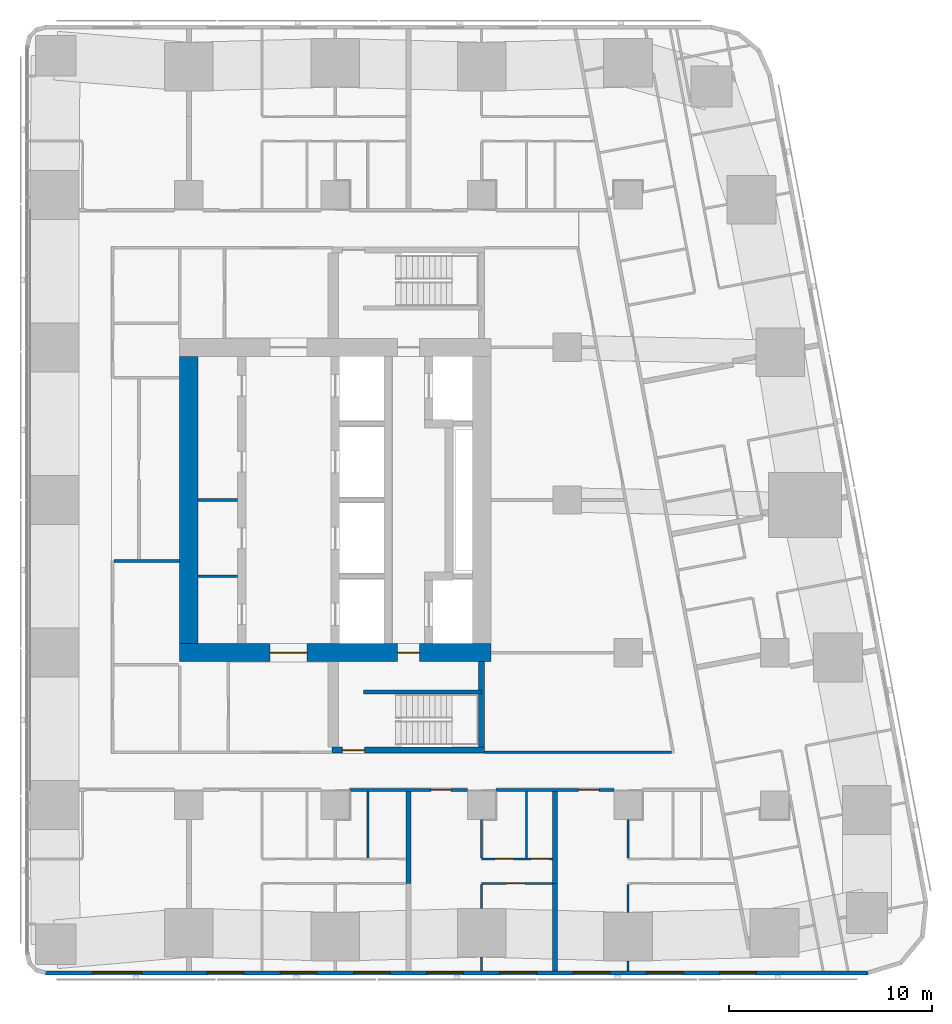
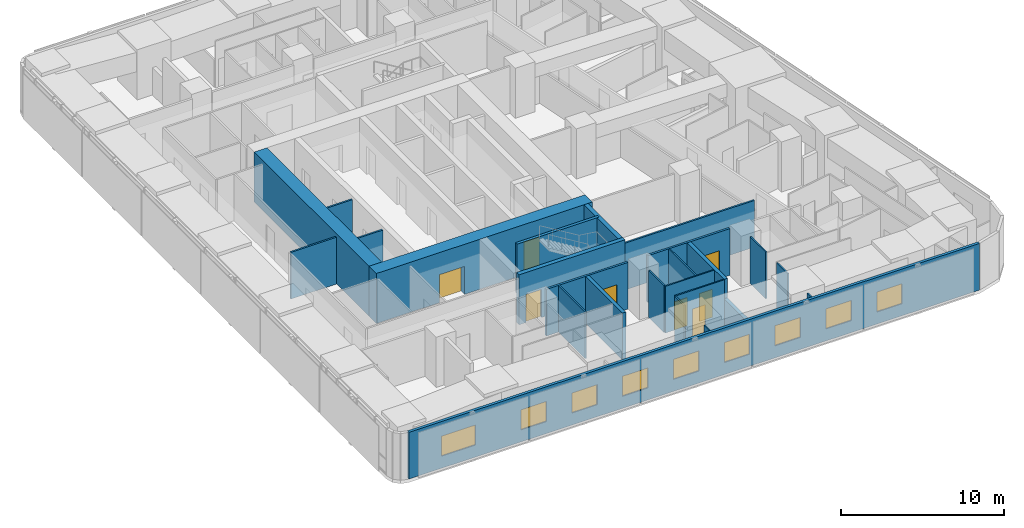
# One storey, part 11 of 19: 25 walls, 9 windows, 8 doors, 17 openings.
"""IFC4 building model written with IfcOpenShell, lengths in metres."""

from ifc_helpers import new_model, si_unit, direction, frame, frame_2d, origin, place, context, subcontext, project, spatial, rectangle, extrude, material, layer, layer_set, type_object, element, fill, save


model = new_model("IFC4")

# Units and contexts
model_context = context("Model", 3, precision=1e-05, world=origin(), true_north=direction((0.0, 1.0)))
body_context = subcontext(model_context, "Body", "Model", "MODEL_VIEW")
ifc_project = project(units=[si_unit("LENGTHUNIT", "METRE"), si_unit("AREAUNIT", "SQUARE_METRE"), si_unit("VOLUMEUNIT", "CUBIC_METRE"), si_unit("PLANEANGLEUNIT", "RADIAN"), si_unit("MASSUNIT", "GRAM", prefix="KILO")], contexts=[model_context])

# Site, building, storey
site_placement = place(None, origin())
site = spatial("IfcSite", under=ifc_project, at=site_placement, CompositionType="ELEMENT")
building_placement = place(site_placement, origin())
building = spatial("IfcBuilding", under=site, at=building_placement, Name="Sheger Commons Tower", CompositionType="ELEMENT")
storey_placement = place(building_placement, frame((0.0, 0.0, 216.199951171875)))
storey = spatial("IfcBuildingStorey", under=building, at=storey_placement, Name="L55", CompositionType="ELEMENT", Elevation=216.199951171875)

# Wall, openings, doors
ifc_material_1 = material(Name="Concrete C50/60", Category="concrete")
ifc_layer_1 = layer(ifc_material_1, 0.89990234375)
ifc_layer_set_1 = layer_set([ifc_layer_1], Name="CORE WALL 900")
wall_type_1 = type_object("IfcWallType", Name="CORE WALL 900", PredefinedType="SHEAR", material=ifc_layer_set_1)
wall_1_placement = place(storey_placement, frame((13.949951171875, 15.0, 0.0), z_axis=(0.0, 0.0, 1.0), x_axis=(1.0, 0.0, 0.0)))
wall_1 = element("IfcWall", 1, at=wall_1_placement, inside=storey, type_object=wall_type_1, Name="Core wall south L55", PredefinedType="SHEAR", context=body_context, shape_type="SweptSolid", body=[
    extrude(rectangle(XDim=15.300048828125, YDim=0.89990234375, at=frame_2d((7.64990234375, 0.0))), origin(), (0.0, 0.0, 1.0), 3.75),
])
opening_1_placement = place(wall_1_placement, frame((4.449951171875, 0.0, 0.0)))
opening_1 = element("IfcOpeningElement", 2, at=opening_1_placement, cuts=wall_1, Name="Opening D6", PredefinedType="OPENING", context=body_context, shape_type="SweptSolid", body=[
    extrude(rectangle(XDim=1.800048828125, YDim=2.10009765625, at=frame_2d((0.89990234375, 1.050048828125))), frame((0.0, 0.4599609375, 0.0), z_axis=(0.0, -1.0, 0.0), x_axis=(1.0, 0.0, 0.0)), (0.0, 0.0, 1.0), 0.919921875),
])
opening_2_placement = place(wall_1_placement, frame((10.699951171875, 0.0, 0.0)))
opening_2 = element("IfcOpeningElement", 3, at=opening_2_placement, cuts=wall_1, Name="Opening D5", PredefinedType="OPENING", context=body_context, shape_type="SweptSolid", body=[
    extrude(rectangle(XDim=1.10009765625, YDim=2.10009765625, at=frame_2d((0.550048828125, 1.050048828125))), frame((0.0, 0.4599609375, 0.0), z_axis=(0.0, -1.0, 0.0), x_axis=(1.0, 0.0, 0.0)), (0.0, 0.0, 1.0), 0.919921875),
])
ifc_material_2 = material(Name="Steel door set, fire rated", Category="steel")
door_type_1 = type_object("IfcDoorType", Name="LOBBY DOUBLE DOOR 1800x2100", OperationType="DOUBLE_DOOR_SINGLE_SWING", PredefinedType="DOOR", material=ifc_material_2)
door_1_placement = place(opening_1_placement, origin())
door_1 = element("IfcDoor", 4, at=door_1_placement, inside=storey, type_object=door_type_1, Name="Lift lobby door", OperationType="DOUBLE_DOOR_SINGLE_SWING", OverallHeight=2.10009765625, OverallWidth=1.800048828125, PredefinedType="DOOR", context=body_context, shape_type="SweptSolid", body=[
    extrude(rectangle(XDim=1.800048828125, YDim=2.10009765625, at=frame_2d((0.89990234375, 1.050048828125))), frame((0.0, 0.02490234375, 0.0), z_axis=(0.0, -1.0, 0.0), x_axis=(1.0, 0.0, 0.0)), (0.0, 0.0, 1.0), 0.050048828125),
])
fill(opening_1, door_1)
ifc_material_3 = material(Name="Steel door set, fire rated", Category="steel")
door_type_2 = type_object("IfcDoorType", Name="STAIR DOOR 1100x2100", OperationType="NOTDEFINED", PredefinedType="DOOR", material=ifc_material_3)
door_2_placement = place(opening_2_placement, origin())
door_2 = element("IfcDoor", 5, at=door_2_placement, inside=storey, type_object=door_type_2, Name="Fire-fighting lobby door", OperationType="SINGLE_SWING_LEFT", OverallHeight=2.10009765625, OverallWidth=1.10009765625, PredefinedType="DOOR", context=body_context, shape_type="SweptSolid", body=[
    extrude(rectangle(XDim=1.10009765625, YDim=2.10009765625, at=frame_2d((0.550048828125, 1.050048828125))), frame((0.0, 0.02490234375, 0.0), z_axis=(0.0, -1.0, 0.0), x_axis=(1.0, 0.0, 0.0)), (0.0, 0.0, 1.0), 0.050048828125),
])
fill(opening_2, door_2)

# Wall
wall_2_placement = place(storey_placement, frame((14.39990234375, 15.449951171875, 0.0), z_axis=(0.0, 0.0, 1.0), x_axis=(0.0, 1.0, 0.0)))
element("IfcWall", 6, at=wall_2_placement, inside=storey, type_object=wall_type_1, Name="Core wall west L55", PredefinedType="SHEAR", context=body_context, shape_type="SweptSolid", body=[
    extrude(rectangle(XDim=14.10009765625, YDim=0.89990234375, at=frame_2d((7.050048828125, 0.0))), origin(), (0.0, 0.0, 1.0), 3.75),
])

# Wall, opening, door
ifc_material_4 = material(Name="Hollow concrete block masonry, skimmed both sides", Category="masonry")
ifc_layer_2 = layer(ifc_material_4, 0.14990234375)
ifc_layer_set_2 = layer_set([ifc_layer_2], Name="CORRIDOR WALL 150")
wall_type_2 = type_object("IfcWallType", Name="CORRIDOR WALL 150", PredefinedType="SOLIDWALL", material=ifc_layer_set_2)
wall_3_placement = place(storey_placement, frame((35.299072265625, 8.25, 0.0), z_axis=(0.0, 0.0, 1.0), x_axis=(-1.0, 0.0, 0.0)))
wall_3 = element("IfcWall", 7, at=wall_3_placement, inside=storey, type_object=wall_type_2, Name="Corridor wall L55", PredefinedType="SOLIDWALL", context=body_context, shape_type="SweptSolid", body=[
    extrude(rectangle(XDim=5.798095703125, YDim=0.14990234375, at=frame_2d((2.89892578125, 0.0))), origin(), (0.0, 0.0, 1.0), 3.5),
])
opening_3_placement = place(wall_3_placement, frame((0.72802734375, 0.0, 0.0)))
opening_3 = element("IfcOpeningElement", 8, at=opening_3_placement, cuts=wall_3, Name="Opening D1", PredefinedType="OPENING", context=body_context, shape_type="SweptSolid", body=[
    extrude(rectangle(XDim=1.0, YDim=2.10009765625, at=frame_2d((0.5, 1.050048828125))), frame((0.0, 0.0849609375, 0.0), z_axis=(0.0, -1.0, 0.0), x_axis=(1.0, 0.0, 0.0)), (0.0, 0.0, 1.0), 0.169921875),
])
ifc_material_5 = material(Name="Steel door set, fire rated", Category="steel")
door_type_3 = type_object("IfcDoorType", Name="FLAT ENTRANCE DOOR 1000x2100", OperationType="NOTDEFINED", PredefinedType="DOOR", material=ifc_material_5)
door_3_placement = place(opening_3_placement, origin())
door_3 = element("IfcDoor", 9, at=door_3_placement, inside=storey, type_object=door_type_3, Name="Flat entrance door", OperationType="SINGLE_SWING_LEFT", OverallHeight=2.10009765625, OverallWidth=1.0, PredefinedType="DOOR", context=body_context, shape_type="SweptSolid", body=[
    extrude(rectangle(XDim=1.0, YDim=2.10009765625, at=frame_2d((0.5, 1.050048828125))), frame((0.0, 0.02490234375, 0.0), z_axis=(0.0, -1.0, 0.0), x_axis=(1.0, 0.0, 0.0)), (0.0, 0.0, 1.0), 0.050048828125),
])
fill(opening_3, door_3)

wall_4_placement = place(storey_placement, frame((28.09912109375, 8.25, 0.0), z_axis=(0.0, 0.0, 1.0), x_axis=(-1.0, 0.0, 0.0)))
wall_4 = element("IfcWall", 10, at=wall_4_placement, inside=storey, type_object=wall_type_2, Name="Corridor wall L55", PredefinedType="SOLIDWALL", context=body_context, shape_type="SweptSolid", body=[
    extrude(rectangle(XDim=5.798095703125, YDim=0.14990234375, at=frame_2d((2.89892578125, 0.0))), origin(), (0.0, 0.0, 1.0), 3.5),
])
opening_4_placement = place(wall_4_placement, frame((0.799072265625, 0.0, 0.0)))
opening_4 = element("IfcOpeningElement", 11, at=opening_4_placement, cuts=wall_4, Name="Opening D1", PredefinedType="OPENING", context=body_context, shape_type="SweptSolid", body=[
    extrude(rectangle(XDim=1.0, YDim=2.10009765625, at=frame_2d((0.5, 1.050048828125))), frame((0.0, 0.0849609375, 0.0), z_axis=(0.0, -1.0, 0.0), x_axis=(1.0, 0.0, 0.0)), (0.0, 0.0, 1.0), 0.169921875),
])
door_4_placement = place(opening_4_placement, origin())
door_4 = element("IfcDoor", 12, at=door_4_placement, inside=storey, type_object=door_type_3, Name="Flat entrance door", OperationType="SINGLE_SWING_LEFT", OverallHeight=2.10009765625, OverallWidth=1.0, PredefinedType="DOOR", context=body_context, shape_type="SweptSolid", body=[
    extrude(rectangle(XDim=1.0, YDim=2.10009765625, at=frame_2d((0.5, 1.050048828125))), frame((0.0, 0.02490234375, 0.0), z_axis=(0.0, -1.0, 0.0), x_axis=(1.0, 0.0, 0.0)), (0.0, 0.0, 1.0), 0.050048828125),
])
fill(opening_4, door_4)

# Walls
ifc_material_6 = material(Name="Dense concrete block masonry, plastered both sides (separating wall between flats)", Category="masonry")
ifc_layer_3 = layer(ifc_material_6, 0.25)
ifc_layer_set_3 = layer_set([ifc_layer_3], Name="DEMISING WALL 250")
wall_type_3 = type_object("IfcWallType", Name="DEMISING WALL 250", PredefinedType="SOLIDWALL", material=ifc_layer_set_3)
wall_5_placement = place(storey_placement, frame((25.199951171875, 3.64990234375, 0.0), z_axis=(0.0, 0.0, 1.0), x_axis=(0.0, 1.0, 0.0)))
element("IfcWall", 13, at=wall_5_placement, inside=storey, type_object=wall_type_3, Name="Demising wall L55", PredefinedType="SOLIDWALL", context=body_context, shape_type="SweptSolid", body=[
    extrude(rectangle(XDim=4.525146484375, YDim=0.25, at=frame_2d((2.2626953125, 0.0))), origin(), (0.0, 0.0, 1.0), 3.5),
])
wall_6_placement = place(storey_placement, frame((32.39990234375, -0.64990234375, 0.0), z_axis=(0.0, 0.0, 1.0), x_axis=(0.0, 1.0, 0.0)))
element("IfcWall", 14, at=wall_6_placement, inside=storey, type_object=wall_type_3, Name="Demising wall L55", PredefinedType="SOLIDWALL", context=body_context, shape_type="SweptSolid", body=[
    extrude(rectangle(XDim=4.2998046875, YDim=0.25, at=frame_2d((2.14990234375, 0.0))), origin(), (0.0, 0.0, 1.0), 2.050048828125),
])
wall_7_placement = place(storey_placement, frame((32.39990234375, 3.64990234375, 0.0), z_axis=(0.0, 0.0, 1.0), x_axis=(0.0, 1.0, 0.0)))
element("IfcWall", 15, at=wall_7_placement, inside=storey, type_object=wall_type_3, Name="Demising wall L55", PredefinedType="SOLIDWALL", context=body_context, shape_type="SweptSolid", body=[
    extrude(rectangle(XDim=4.525146484375, YDim=0.25, at=frame_2d((2.2626953125, 0.0))), origin(), (0.0, 0.0, 1.0), 3.5),
])

# Wall, openings, windows
ifc_material_7 = material(Name="Rendered concrete block masonry, dark grey", Category="masonry")
ifc_layer_4 = layer(ifc_material_7, 0.199951171875)
ifc_layer_set_4 = layer_set([ifc_layer_4], Name="FACADE WALL 200")
wall_type_4 = type_object("IfcWallType", Name="FACADE WALL 200", PredefinedType="SOLIDWALL", material=ifc_layer_set_4)
wall_8_placement = place(storey_placement, frame((7.363037109375, -0.75, 0.0), z_axis=(0.0, 0.0, 1.0), x_axis=(1.0, 0.0, 0.0)))
wall_8 = element("IfcWall", 16, at=wall_8_placement, inside=storey, type_object=wall_type_4, Name="Facade wall L55", PredefinedType="SOLIDWALL", context=body_context, shape_type="SweptSolid", body=[
    extrude(rectangle(XDim=40.427978515625, YDim=0.199951171875, at=frame_2d((20.2138671875, 0.0))), origin(), (0.0, 0.0, 1.0), 3.5),
])
opening_5_placement = place(wall_8_placement, frame((2.319091796875, 0.0, 0.89990234375)))
opening_5 = element("IfcOpeningElement", 17, at=opening_5_placement, cuts=wall_8, Name="Opening W1", PredefinedType="OPENING", context=body_context, shape_type="SweptSolid", body=[
    extrude(rectangle(XDim=2.39990234375, YDim=1.5, at=frame_2d((1.199951171875, 0.75))), frame((0.0, 0.10986328125, 0.0), z_axis=(0.0, -1.0, 0.0), x_axis=(1.0, 0.0, 0.0)), (0.0, 0.0, 1.0), 0.219970703125),
])
opening_6_placement = place(wall_8_placement, frame((7.93701171875, 0.0, 0.89990234375)))
opening_6 = element("IfcOpeningElement", 18, at=opening_6_placement, cuts=wall_8, Name="Opening W2", PredefinedType="OPENING", context=body_context, shape_type="SweptSolid", body=[
    extrude(rectangle(XDim=1.800048828125, YDim=1.5, at=frame_2d((0.89990234375, 0.75))), frame((0.0, 0.10986328125, 0.0), z_axis=(0.0, -1.0, 0.0), x_axis=(1.0, 0.0, 0.0)), (0.0, 0.0, 1.0), 0.219970703125),
])
opening_7_placement = place(wall_8_placement, frame((11.537109375, 0.0, 0.89990234375)))
opening_7 = element("IfcOpeningElement", 19, at=opening_7_placement, cuts=wall_8, Name="Opening W2", PredefinedType="OPENING", context=body_context, shape_type="SweptSolid", body=[
    extrude(rectangle(XDim=1.800048828125, YDim=1.5, at=frame_2d((0.89990234375, 0.75))), frame((0.0, 0.10986328125, 0.0), z_axis=(0.0, -1.0, 0.0), x_axis=(1.0, 0.0, 0.0)), (0.0, 0.0, 1.0), 0.219970703125),
])
opening_8_placement = place(wall_8_placement, frame((15.136962890625, 0.0, 0.89990234375)))
opening_8 = element("IfcOpeningElement", 20, at=opening_8_placement, cuts=wall_8, Name="Opening W2", PredefinedType="OPENING", context=body_context, shape_type="SweptSolid", body=[
    extrude(rectangle(XDim=1.800048828125, YDim=1.5, at=frame_2d((0.89990234375, 0.75))), frame((0.0, 0.10986328125, 0.0), z_axis=(0.0, -1.0, 0.0), x_axis=(1.0, 0.0, 0.0)), (0.0, 0.0, 1.0), 0.219970703125),
])
opening_9_placement = place(wall_8_placement, frame((18.737060546875, 0.0, 0.89990234375)))
opening_9 = element("IfcOpeningElement", 21, at=opening_9_placement, cuts=wall_8, Name="Opening W2", PredefinedType="OPENING", context=body_context, shape_type="SweptSolid", body=[
    extrude(rectangle(XDim=1.800048828125, YDim=1.5, at=frame_2d((0.89990234375, 0.75))), frame((0.0, 0.10986328125, 0.0), z_axis=(0.0, -1.0, 0.0), x_axis=(1.0, 0.0, 0.0)), (0.0, 0.0, 1.0), 0.219970703125),
])
opening_10_placement = place(wall_8_placement, frame((22.3369140625, 0.0, 0.89990234375)))
opening_10 = element("IfcOpeningElement", 22, at=opening_10_placement, cuts=wall_8, Name="Opening W2", PredefinedType="OPENING", context=body_context, shape_type="SweptSolid", body=[
    extrude(rectangle(XDim=1.800048828125, YDim=1.5, at=frame_2d((0.89990234375, 0.75))), frame((0.0, 0.10986328125, 0.0), z_axis=(0.0, -1.0, 0.0), x_axis=(1.0, 0.0, 0.0)), (0.0, 0.0, 1.0), 0.219970703125),
])
opening_11_placement = place(wall_8_placement, frame((25.93701171875, 0.0, 0.89990234375)))
opening_11 = element("IfcOpeningElement", 23, at=opening_11_placement, cuts=wall_8, Name="Opening W2", PredefinedType="OPENING", context=body_context, shape_type="SweptSolid", body=[
    extrude(rectangle(XDim=1.800048828125, YDim=1.5, at=frame_2d((0.89990234375, 0.75))), frame((0.0, 0.10986328125, 0.0), z_axis=(0.0, -1.0, 0.0), x_axis=(1.0, 0.0, 0.0)), (0.0, 0.0, 1.0), 0.219970703125),
])
opening_12_placement = place(wall_8_placement, frame((29.537109375, 0.0, 0.89990234375)))
opening_12 = element("IfcOpeningElement", 24, at=opening_12_placement, cuts=wall_8, Name="Opening W2", PredefinedType="OPENING", context=body_context, shape_type="SweptSolid", body=[
    extrude(rectangle(XDim=1.800048828125, YDim=1.5, at=frame_2d((0.89990234375, 0.75))), frame((0.0, 0.10986328125, 0.0), z_axis=(0.0, -1.0, 0.0), x_axis=(1.0, 0.0, 0.0)), (0.0, 0.0, 1.0), 0.219970703125),
])
opening_13_placement = place(wall_8_placement, frame((33.136962890625, 0.0, 0.89990234375)))
opening_13 = element("IfcOpeningElement", 25, at=opening_13_placement, cuts=wall_8, Name="Opening W2", PredefinedType="OPENING", context=body_context, shape_type="SweptSolid", body=[
    extrude(rectangle(XDim=1.800048828125, YDim=1.5, at=frame_2d((0.89990234375, 0.75))), frame((0.0, 0.10986328125, 0.0), z_axis=(0.0, -1.0, 0.0), x_axis=(1.0, 0.0, 0.0)), (0.0, 0.0, 1.0), 0.219970703125),
])
ifc_material_8 = material(Name="Black aluminium frame, dark tinted double glazing", Category="aluminium")
window_type_1 = type_object("IfcWindowType", Name="WINDOW W1 2400x1500", PartitioningType="SINGLE_PANEL", PredefinedType="WINDOW", material=ifc_material_8)
window_1_placement = place(opening_5_placement, origin())
window_1 = element("IfcWindow", 26, at=window_1_placement, inside=storey, type_object=window_type_1, Name="Window W1 2400X1500", OverallHeight=1.5, OverallWidth=2.39990234375, PartitioningType="SINGLE_PANEL", PredefinedType="WINDOW", context=body_context, shape_type="SweptSolid", body=[
    extrude(rectangle(XDim=2.39990234375, YDim=1.5, at=frame_2d((1.199951171875, 0.75))), frame((0.0, 0.030029296875, 0.0), z_axis=(0.0, -1.0, 0.0), x_axis=(1.0, 0.0, 0.0)), (0.0, 0.0, 1.0), 0.06005859375),
])
fill(opening_5, window_1)
ifc_material_9 = material(Name="Black aluminium frame, dark tinted double glazing", Category="aluminium")
window_type_2 = type_object("IfcWindowType", Name="WINDOW W2 1800x1500", PartitioningType="SINGLE_PANEL", PredefinedType="WINDOW", material=ifc_material_9)
window_2_placement = place(opening_6_placement, origin())
window_2 = element("IfcWindow", 27, at=window_2_placement, inside=storey, type_object=window_type_2, Name="Window W2 1800X1500", OverallHeight=1.5, OverallWidth=1.800048828125, PartitioningType="SINGLE_PANEL", PredefinedType="WINDOW", context=body_context, shape_type="SweptSolid", body=[
    extrude(rectangle(XDim=1.800048828125, YDim=1.5, at=frame_2d((0.89990234375, 0.75))), frame((0.0, 0.030029296875, 0.0), z_axis=(0.0, -1.0, 0.0), x_axis=(1.0, 0.0, 0.0)), (0.0, 0.0, 1.0), 0.06005859375),
])
fill(opening_6, window_2)
window_3_placement = place(opening_7_placement, origin())
window_3 = element("IfcWindow", 28, at=window_3_placement, inside=storey, type_object=window_type_2, Name="Window W2 1800X1500", OverallHeight=1.5, OverallWidth=1.800048828125, PartitioningType="SINGLE_PANEL", PredefinedType="WINDOW", context=body_context, shape_type="SweptSolid", body=[
    extrude(rectangle(XDim=1.800048828125, YDim=1.5, at=frame_2d((0.89990234375, 0.75))), frame((0.0, 0.030029296875, 0.0), z_axis=(0.0, -1.0, 0.0), x_axis=(1.0, 0.0, 0.0)), (0.0, 0.0, 1.0), 0.06005859375),
])
fill(opening_7, window_3)
window_4_placement = place(opening_8_placement, origin())
window_4 = element("IfcWindow", 29, at=window_4_placement, inside=storey, type_object=window_type_2, Name="Window W2 1800X1500", OverallHeight=1.5, OverallWidth=1.800048828125, PartitioningType="SINGLE_PANEL", PredefinedType="WINDOW", context=body_context, shape_type="SweptSolid", body=[
    extrude(rectangle(XDim=1.800048828125, YDim=1.5, at=frame_2d((0.89990234375, 0.75))), frame((0.0, 0.030029296875, 0.0), z_axis=(0.0, -1.0, 0.0), x_axis=(1.0, 0.0, 0.0)), (0.0, 0.0, 1.0), 0.06005859375),
])
fill(opening_8, window_4)
window_5_placement = place(opening_9_placement, origin())
window_5 = element("IfcWindow", 30, at=window_5_placement, inside=storey, type_object=window_type_2, Name="Window W2 1800X1500", OverallHeight=1.5, OverallWidth=1.800048828125, PartitioningType="SINGLE_PANEL", PredefinedType="WINDOW", context=body_context, shape_type="SweptSolid", body=[
    extrude(rectangle(XDim=1.800048828125, YDim=1.5, at=frame_2d((0.89990234375, 0.75))), frame((0.0, 0.030029296875, 0.0), z_axis=(0.0, -1.0, 0.0), x_axis=(1.0, 0.0, 0.0)), (0.0, 0.0, 1.0), 0.06005859375),
])
fill(opening_9, window_5)
window_6_placement = place(opening_10_placement, origin())
window_6 = element("IfcWindow", 31, at=window_6_placement, inside=storey, type_object=window_type_2, Name="Window W2 1800X1500", OverallHeight=1.5, OverallWidth=1.800048828125, PartitioningType="SINGLE_PANEL", PredefinedType="WINDOW", context=body_context, shape_type="SweptSolid", body=[
    extrude(rectangle(XDim=1.800048828125, YDim=1.5, at=frame_2d((0.89990234375, 0.75))), frame((0.0, 0.030029296875, 0.0), z_axis=(0.0, -1.0, 0.0), x_axis=(1.0, 0.0, 0.0)), (0.0, 0.0, 1.0), 0.06005859375),
])
fill(opening_10, window_6)
window_7_placement = place(opening_11_placement, origin())
window_7 = element("IfcWindow", 32, at=window_7_placement, inside=storey, type_object=window_type_2, Name="Window W2 1800X1500", OverallHeight=1.5, OverallWidth=1.800048828125, PartitioningType="SINGLE_PANEL", PredefinedType="WINDOW", context=body_context, shape_type="SweptSolid", body=[
    extrude(rectangle(XDim=1.800048828125, YDim=1.5, at=frame_2d((0.89990234375, 0.75))), frame((0.0, 0.030029296875, 0.0), z_axis=(0.0, -1.0, 0.0), x_axis=(1.0, 0.0, 0.0)), (0.0, 0.0, 1.0), 0.06005859375),
])
fill(opening_11, window_7)
window_8_placement = place(opening_12_placement, origin())
window_8 = element("IfcWindow", 33, at=window_8_placement, inside=storey, type_object=window_type_2, Name="Window W2 1800X1500", OverallHeight=1.5, OverallWidth=1.800048828125, PartitioningType="SINGLE_PANEL", PredefinedType="WINDOW", context=body_context, shape_type="SweptSolid", body=[
    extrude(rectangle(XDim=1.800048828125, YDim=1.5, at=frame_2d((0.89990234375, 0.75))), frame((0.0, 0.030029296875, 0.0), z_axis=(0.0, -1.0, 0.0), x_axis=(1.0, 0.0, 0.0)), (0.0, 0.0, 1.0), 0.06005859375),
])
fill(opening_12, window_8)
window_9_placement = place(opening_13_placement, origin())
window_9 = element("IfcWindow", 34, at=window_9_placement, inside=storey, type_object=window_type_2, Name="Window W2 1800X1500", OverallHeight=1.5, OverallWidth=1.800048828125, PartitioningType="SINGLE_PANEL", PredefinedType="WINDOW", context=body_context, shape_type="SweptSolid", body=[
    extrude(rectangle(XDim=1.800048828125, YDim=1.5, at=frame_2d((0.89990234375, 0.75))), frame((0.0, 0.030029296875, 0.0), z_axis=(0.0, -1.0, 0.0), x_axis=(1.0, 0.0, 0.0)), (0.0, 0.0, 1.0), 0.06005859375),
])
fill(opening_13, window_9)

# Wall
ifc_material_10 = material(Name="Gypsum board on steel studs", Category="steel")
ifc_layer_5 = layer(ifc_material_10, 0.10009765625)
ifc_layer_set_5 = layer_set([ifc_layer_5], Name="PARTITION 100")
wall_type_5 = type_object("IfcWallType", Name="PARTITION 100", PredefinedType="PARTITIONING", material=ifc_layer_set_5)
wall_9_placement = place(storey_placement, frame((23.199951171875, 4.89990234375, 0.0), z_axis=(0.0, 0.0, 1.0), x_axis=(0.0, 1.0, 0.0)))
element("IfcWall", 35, at=wall_9_placement, inside=storey, type_object=wall_type_5, Name="Partition L55", PredefinedType="PARTITIONING", context=body_context, shape_type="SweptSolid", body=[
    extrude(rectangle(XDim=3.275146484375, YDim=0.10009765625, at=frame_2d((1.6376953125, 0.0))), origin(), (0.0, 0.0, 1.0), 3.5),
])

# Wall, opening, door
wall_10_placement = place(storey_placement, frame((32.27490234375, 3.64990234375, 0.0), z_axis=(0.0, 0.0, 1.0), x_axis=(-1.0, 0.0, 0.0)))
wall_10 = element("IfcWall", 36, at=wall_10_placement, inside=storey, type_object=wall_type_5, Name="Partition L55", PredefinedType="PARTITIONING", context=body_context, shape_type="SweptSolid", body=[
    extrude(rectangle(XDim=3.474853515625, YDim=0.10009765625, at=frame_2d((1.7373046875, 0.0))), origin(), (0.0, 0.0, 1.0), 3.5),
])
opening_14_placement = place(wall_10_placement, frame((1.35009765625, 0.0, 0.0)))
opening_14 = element("IfcOpeningElement", 37, at=opening_14_placement, cuts=wall_10, Name="Opening D2", PredefinedType="OPENING", context=body_context, shape_type="SweptSolid", body=[
    extrude(rectangle(XDim=0.89990234375, YDim=2.10009765625, at=frame_2d((0.449951171875, 1.050048828125))), frame((0.0, 0.06005859375, 0.0), z_axis=(0.0, -1.0, 0.0), x_axis=(1.0, 0.0, 0.0)), (0.0, 0.0, 1.0), 0.1201171875),
])
ifc_material_11 = material(Name="Timber door set", Category="wood")
door_type_4 = type_object("IfcDoorType", Name="INTERNAL DOOR 900x2100", OperationType="NOTDEFINED", PredefinedType="DOOR", material=ifc_material_11)
door_5_placement = place(opening_14_placement, origin())
door_5 = element("IfcDoor", 38, at=door_5_placement, inside=storey, type_object=door_type_4, Name="Main bedroom door", OperationType="SINGLE_SWING_RIGHT", OverallHeight=2.10009765625, OverallWidth=0.89990234375, PredefinedType="DOOR", context=body_context, shape_type="SweptSolid", body=[
    extrude(rectangle(XDim=0.89990234375, YDim=2.10009765625, at=frame_2d((0.449951171875, 1.050048828125))), frame((0.0, 0.02490234375, 0.0), z_axis=(0.0, -1.0, 0.0), x_axis=(1.0, 0.0, 0.0)), (0.0, 0.0, 1.0), 0.050048828125),
])
fill(opening_14, door_5)

# Wall, openings, doors
wall_11_placement = place(storey_placement, frame((32.27490234375, 4.85009765625, 0.0), z_axis=(0.0, 0.0, 1.0), x_axis=(-1.0, 0.0, 0.0)))
wall_11 = element("IfcWall", 39, at=wall_11_placement, inside=storey, type_object=wall_type_5, Name="Partition L55", PredefinedType="PARTITIONING", context=body_context, shape_type="SweptSolid", body=[
    extrude(rectangle(XDim=3.474853515625, YDim=0.10009765625, at=frame_2d((1.7373046875, 0.0))), origin(), (0.0, 0.0, 1.0), 3.5),
])
opening_15_placement = place(wall_11_placement, frame((1.919921875, 0.0, 0.0)))
opening_15 = element("IfcOpeningElement", 40, at=opening_15_placement, cuts=wall_11, Name="Opening D2", PredefinedType="OPENING", context=body_context, shape_type="SweptSolid", body=[
    extrude(rectangle(XDim=0.89990234375, YDim=2.10009765625, at=frame_2d((0.449951171875, 1.050048828125))), frame((0.0, 0.06005859375, 0.0), z_axis=(0.0, -1.0, 0.0), x_axis=(1.0, 0.0, 0.0)), (0.0, 0.0, 1.0), 0.1201171875),
])
opening_16_placement = place(wall_11_placement, frame((0.14990234375, 0.0, 0.0)))
opening_16 = element("IfcOpeningElement", 41, at=opening_16_placement, cuts=wall_11, Name="Opening D2", PredefinedType="OPENING", context=body_context, shape_type="SweptSolid", body=[
    extrude(rectangle(XDim=0.89990234375, YDim=2.10009765625, at=frame_2d((0.449951171875, 1.050048828125))), frame((0.0, 0.06005859375, 0.0), z_axis=(0.0, -1.0, 0.0), x_axis=(1.0, 0.0, 0.0)), (0.0, 0.0, 1.0), 0.1201171875),
])
door_6_placement = place(opening_15_placement, origin())
door_6 = element("IfcDoor", 42, at=door_6_placement, inside=storey, type_object=door_type_4, Name="Bathroom door", OperationType="SINGLE_SWING_LEFT", OverallHeight=2.10009765625, OverallWidth=0.89990234375, PredefinedType="DOOR", context=body_context, shape_type="SweptSolid", body=[
    extrude(rectangle(XDim=0.89990234375, YDim=2.10009765625, at=frame_2d((0.449951171875, 1.050048828125))), frame((0.0, 0.02490234375, 0.0), z_axis=(0.0, -1.0, 0.0), x_axis=(1.0, 0.0, 0.0)), (0.0, 0.0, 1.0), 0.050048828125),
])
fill(opening_15, door_6)
door_7_placement = place(opening_16_placement, origin())
door_7 = element("IfcDoor", 43, at=door_7_placement, inside=storey, type_object=door_type_4, Name="Store door", OperationType="SINGLE_SWING_RIGHT", OverallHeight=2.10009765625, OverallWidth=0.89990234375, PredefinedType="DOOR", context=body_context, shape_type="SweptSolid", body=[
    extrude(rectangle(XDim=0.89990234375, YDim=2.10009765625, at=frame_2d((0.449951171875, 1.050048828125))), frame((0.0, 0.02490234375, 0.0), z_axis=(0.0, -1.0, 0.0), x_axis=(1.0, 0.0, 0.0)), (0.0, 0.0, 1.0), 0.050048828125),
])
fill(opening_16, door_7)

# Walls
wall_12_placement = place(storey_placement, frame((28.800048828125, -0.64990234375, 0.0), z_axis=(0.0, 0.0, 1.0), x_axis=(0.0, 1.0, 0.0)))
element("IfcWall", 44, at=wall_12_placement, inside=storey, type_object=wall_type_5, Name="Partition L55", PredefinedType="PARTITIONING", context=body_context, shape_type="SweptSolid", body=[
    extrude(rectangle(XDim=0.673828125, YDim=0.10009765625, at=frame_2d((0.3369140625, 0.0))), origin(), (0.0, 0.0, 1.0), 3.5),
])
wall_13_placement = place(storey_placement, frame((28.800048828125, 2.426025390625, 0.0), z_axis=(0.0, 0.0, 1.0), x_axis=(0.0, 1.0, 0.0)))
element("IfcWall", 45, at=wall_13_placement, inside=storey, type_object=wall_type_5, Name="Partition L55", PredefinedType="PARTITIONING", context=body_context, shape_type="SweptSolid", body=[
    extrude(rectangle(XDim=1.174072265625, YDim=0.10009765625, at=frame_2d((0.5869140625, 0.0))), origin(), (0.0, 0.0, 1.0), 3.5),
])
wall_14_placement = place(storey_placement, frame((28.800048828125, 4.89990234375, 0.0), z_axis=(0.0, 0.0, 1.0), x_axis=(0.0, 1.0, 0.0)))
element("IfcWall", 46, at=wall_14_placement, inside=storey, type_object=wall_type_5, Name="Partition L55", PredefinedType="PARTITIONING", context=body_context, shape_type="SweptSolid", body=[
    extrude(rectangle(XDim=1.899169921875, YDim=0.10009765625, at=frame_2d((0.94970703125, 0.0))), origin(), (0.0, 0.0, 1.0), 3.5),
])
wall_15_placement = place(storey_placement, frame((31.010009765625, 4.89990234375, 0.0), z_axis=(0.0, 0.0, 1.0), x_axis=(0.0, 1.0, 0.0)))
element("IfcWall", 47, at=wall_15_placement, inside=storey, type_object=wall_type_5, Name="Partition L55", PredefinedType="PARTITIONING", context=body_context, shape_type="SweptSolid", body=[
    extrude(rectangle(XDim=3.275146484375, YDim=0.10009765625, at=frame_2d((1.6376953125, 0.0))), origin(), (0.0, 0.0, 1.0), 3.5),
])
wall_16_placement = place(storey_placement, frame((36.0, -0.64990234375, 0.0), z_axis=(0.0, 0.0, 1.0), x_axis=(0.0, 1.0, 0.0)))
element("IfcWall", 48, at=wall_16_placement, inside=storey, type_object=wall_type_5, Name="Partition L55", PredefinedType="PARTITIONING", context=body_context, shape_type="SweptSolid", body=[
    extrude(rectangle(XDim=0.473876953125, YDim=0.10009765625, at=frame_2d((0.23681640625, 0.0))), origin(), (0.0, 0.0, 1.0), 3.5),
])
wall_17_placement = place(storey_placement, frame((36.0, 2.22607421875, 0.0), z_axis=(0.0, 0.0, 1.0), x_axis=(0.0, 1.0, 0.0)))
element("IfcWall", 49, at=wall_17_placement, inside=storey, type_object=wall_type_5, Name="Partition L55", PredefinedType="PARTITIONING", context=body_context, shape_type="SweptSolid", body=[
    extrude(rectangle(XDim=1.3740234375, YDim=0.10009765625, at=frame_2d((0.68701171875, 0.0))), origin(), (0.0, 0.0, 1.0), 3.5),
])
wall_18_placement = place(storey_placement, frame((36.0, 4.89990234375, 0.0), z_axis=(0.0, 0.0, 1.0), x_axis=(0.0, 1.0, 0.0)))
element("IfcWall", 50, at=wall_18_placement, inside=storey, type_object=wall_type_5, Name="Partition L55", PredefinedType="PARTITIONING", context=body_context, shape_type="SweptSolid", body=[
    extrude(rectangle(XDim=1.899169921875, YDim=0.10009765625, at=frame_2d((0.94970703125, 0.0))), origin(), (0.0, 0.0, 1.0), 3.5),
])
ifc_material_12 = material(Name="Gypsum board on steel studs, two layers each side, fire rated", Category="steel")
ifc_layer_6 = layer(ifc_material_12, 0.125)
ifc_layer_set_6 = layer_set([ifc_layer_6], Name="SERVICE WALL 125")
wall_type_6 = type_object("IfcWallType", Name="SERVICE WALL 125", PredefinedType="PARTITIONING", material=ifc_layer_set_6)
wall_19_placement = place(storey_placement, frame((10.712890625, 19.5, 0.0), z_axis=(0.0, 0.0, 1.0), x_axis=(1.0, 0.0, 0.0)))
element("IfcWall", 51, at=wall_19_placement, inside=storey, type_object=wall_type_6, Name="Service room wall L55", PredefinedType="PARTITIONING", context=body_context, shape_type="SweptSolid", body=[
    extrude(rectangle(XDim=3.237060546875, YDim=0.125, at=frame_2d((1.61865234375, 0.0))), origin(), (0.0, 0.0, 1.0), 3.5),
])
wall_20_placement = place(storey_placement, frame((28.949951171875, 10.10009765625, 0.0), z_axis=(0.0, 0.0, 1.0), x_axis=(1.0, 0.0, 0.0)))
element("IfcWall", 52, at=wall_20_placement, inside=storey, type_object=wall_type_6, Name="Service room wall L55", PredefinedType="PARTITIONING", context=body_context, shape_type="SweptSolid", body=[
    extrude(rectangle(XDim=9.18798828125, YDim=0.125, at=frame_2d((4.593994140625, 0.0))), origin(), (0.0, 0.0, 1.0), 3.5),
])
for number, where, z_axis, x_axis, name in (
    (53, (14.85009765625, 18.75, 0.0), (0.0, 0.0, 1.0), (1.0, 0.0, 0.0), "Service room wall L55"),
    (54, (14.85009765625, 22.5, 0.0), (0.0, 0.0, 1.0), (1.0, 0.0, 0.0), "Service room wall L55"),
):
    element("IfcWall", number, at=place(storey_placement, frame(where, z_axis=z_axis, x_axis=x_axis)), inside=storey, type_object=wall_type_6, Name=name, PredefinedType="PARTITIONING", context=body_context, shape_type="SweptSolid", body=[
        extrude(rectangle(XDim=1.949951171875, YDim=0.125, at=frame_2d((0.97509765625, 0.0))), origin(), (0.0, 0.0, 1.0), 3.5),
    ])

# Wall, opening, door
ifc_material_13 = material(Name="Concrete C50/60", Category="concrete")
ifc_layer_7 = layer(ifc_material_13, 0.300048828125)
ifc_layer_set_7 = layer_set([ifc_layer_7], Name="STAIR CORE WALL 300")
wall_type_7 = type_object("IfcWallType", Name="STAIR CORE WALL 300", PredefinedType="SHEAR", material=ifc_layer_set_7)
wall_21_placement = place(storey_placement, frame((21.449951171875, 10.199951171875, 0.0), z_axis=(0.0, 0.0, 1.0), x_axis=(1.0, 0.0, 0.0)))
wall_21 = element("IfcWall", 55, at=wall_21_placement, inside=storey, type_object=wall_type_7, Name="STW-L55-S1S", PredefinedType="SHEAR", context=body_context, shape_type="SweptSolid", body=[
    extrude(rectangle(XDim=7.5, YDim=0.300048828125, at=frame_2d((3.75, 0.0))), origin(), (0.0, 0.0, 1.0), 3.75),
])
opening_17_placement = place(wall_21_placement, frame((0.5, 0.0, 0.0)))
opening_17 = element("IfcOpeningElement", 56, at=opening_17_placement, cuts=wall_21, Name="Opening D5", PredefinedType="OPENING", context=body_context, shape_type="SweptSolid", body=[
    extrude(rectangle(XDim=1.10009765625, YDim=2.10009765625, at=frame_2d((0.550048828125, 1.050048828125))), frame((0.0, 0.159912109375, 0.0), z_axis=(0.0, -1.0, 0.0), x_axis=(1.0, 0.0, 0.0)), (0.0, 0.0, 1.0), 0.320068359375),
])
door_8_placement = place(opening_17_placement, origin())
door_8 = element("IfcDoor", 57, at=door_8_placement, inside=storey, type_object=door_type_2, Name="Stair S1 door", OperationType="SINGLE_SWING_LEFT", OverallHeight=2.10009765625, OverallWidth=1.10009765625, PredefinedType="DOOR", context=body_context, shape_type="SweptSolid", body=[
    extrude(rectangle(XDim=1.10009765625, YDim=2.10009765625, at=frame_2d((0.550048828125, 1.050048828125))), frame((0.0, 0.02490234375, 0.0), z_axis=(0.0, -1.0, 0.0), x_axis=(1.0, 0.0, 0.0)), (0.0, 0.0, 1.0), 0.050048828125),
])
fill(opening_17, door_8)

# Walls
wall_22_placement = place(storey_placement, frame((28.800048828125, 10.35009765625, 0.0), z_axis=(0.0, 0.0, 1.0), x_axis=(0.0, 1.0, 0.0)))
element("IfcWall", 58, at=wall_22_placement, inside=storey, type_object=wall_type_7, Name="STW-L55-S1E", PredefinedType="SHEAR", context=body_context, shape_type="SweptSolid", body=[
    extrude(rectangle(XDim=4.199951171875, YDim=0.300048828125, at=frame_2d((2.10009765625, 0.0))), origin(), (0.0, 0.0, 1.0), 3.75),
])
ifc_material_14 = material(Name="Concrete C50/60", Category="concrete")
ifc_layer_8 = layer(ifc_material_14, 0.199951171875)
ifc_layer_set_8 = layer_set([ifc_layer_8], Name="STAIR SPINE WALL 200")
wall_type_8 = type_object("IfcWallType", Name="STAIR SPINE WALL 200", PredefinedType="SHEAR", material=ifc_layer_set_8)
wall_23_placement = place(storey_placement, frame((23.0, 13.050048828125, 0.0), z_axis=(0.0, 0.0, 1.0), x_axis=(1.0, 0.0, 0.0)))
element("IfcWall", 59, at=wall_23_placement, inside=storey, type_object=wall_type_8, Name="Stair spine wall L55", PredefinedType="SHEAR", context=body_context, shape_type="SweptSolid", body=[
    extrude(rectangle(XDim=5.800048828125, YDim=0.199951171875, at=frame_2d((2.89990234375, 0.0))), origin(), (0.0, 0.0, 1.0), 3.75),
])

save(model, "model.ifc")
